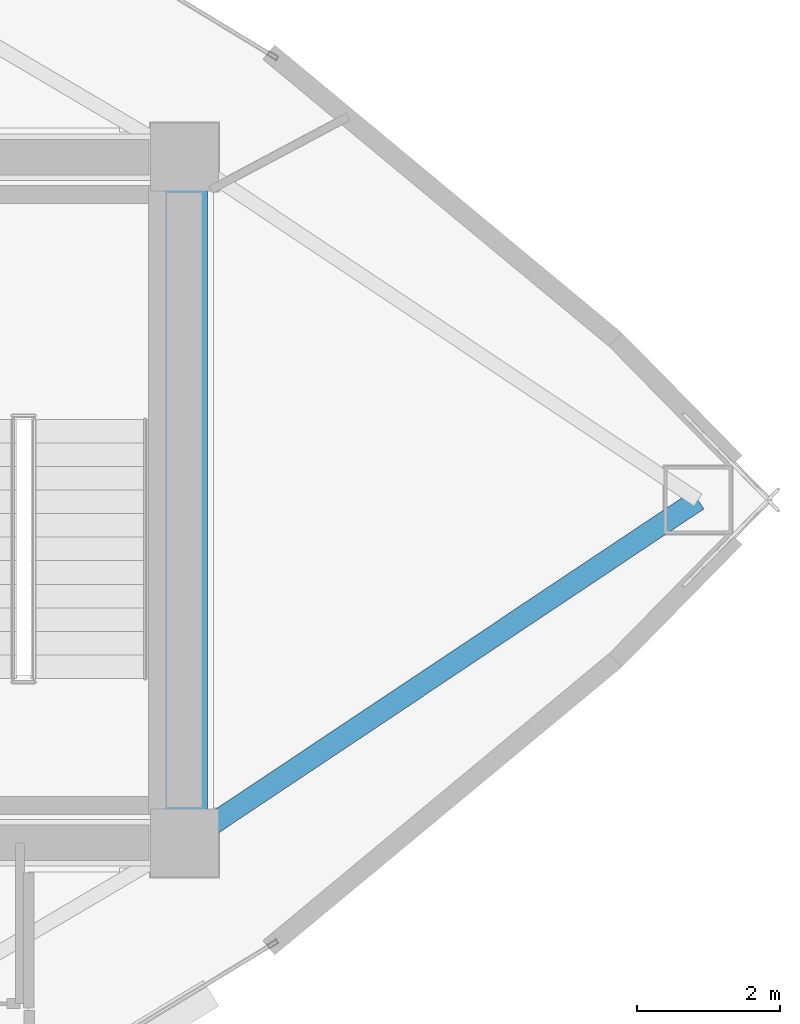
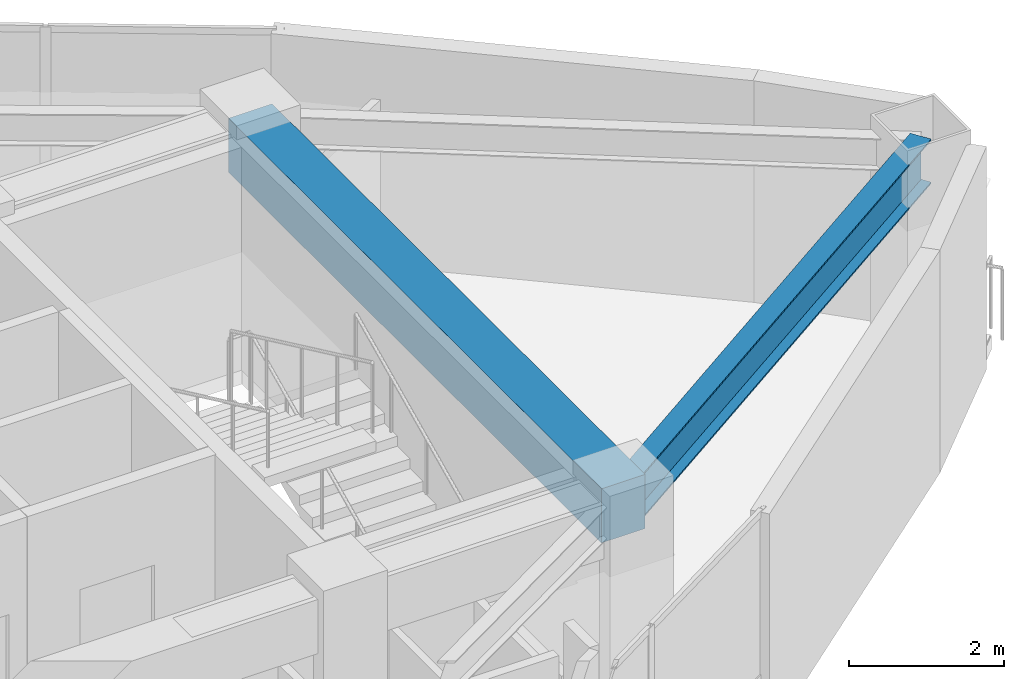
# One storey, part 6 of 15: 2 beams.
"""IFC4 building model written with IfcOpenShell, lengths in metres."""

from ifc_helpers import new_model, si_unit, direction, frame, origin, origin_2d, place, context, subcontext, project, spatial, rectangle, i_section, extrude, material, material_profile, profile_set, type_object, element, save


model = new_model("IFC4")

# Units and contexts
model_context = context("Model", 3, precision=1e-05, world=origin(), true_north=direction((0.0, 1.0)))
body_context = subcontext(model_context, "Body", "Model", "MODEL_VIEW")
ifc_project = project(units=[si_unit("LENGTHUNIT", "METRE"), si_unit("AREAUNIT", "SQUARE_METRE"), si_unit("VOLUMEUNIT", "CUBIC_METRE"), si_unit("PLANEANGLEUNIT", "RADIAN"), si_unit("MASSUNIT", "GRAM", prefix="KILO")], contexts=[model_context])

# Site, building, storey
site_placement = place(None, origin())
site = spatial("IfcSite", under=ifc_project, at=site_placement, CompositionType="ELEMENT")
building_placement = place(site_placement, origin())
building = spatial("IfcBuilding", under=site, at=building_placement, Name="Menara Vayukalpa", CompositionType="ELEMENT")
storey_placement = place(building_placement, frame((0.0, 0.0, 223.260009765625)))
storey = spatial("IfcBuildingStorey", under=building, at=storey_placement, Name="L56", CompositionType="ELEMENT", Elevation=223.260009765625)

# Beams
ifc_material_1 = material(Name="Concrete C60/75", Category="concrete")
ifc_material_profile_1 = material_profile(ifc_material_1, rectangle(XDim=0.64990234375, YDim=0.85009765625, at=origin_2d()), Name="RC 650x850")
ifc_profile_set_1 = profile_set([ifc_material_profile_1], Name="Concrete C60/75")
beam_type_1 = type_object("IfcBeamType", Name="BM-CB1", PredefinedType="BEAM", material=ifc_profile_set_1)
beam_1_placement = place(storey_placement, frame((33.39990234375, 17.199951171875, 3.074951171875), z_axis=(0.0, 1.0, 0.0), x_axis=(-1.0, 0.0, 0.0)))
element("IfcBeam", 1, at=beam_1_placement, inside=storey, type_object=beam_type_1, Name="L56 Core Tie Beam CBR8", PredefinedType="BEAM", context=body_context, shape_type="SweptSolid", body=[
    extrude(rectangle(XDim=0.64990234375, YDim=0.85009765625, at=origin_2d()), origin(), (0.0, 0.0, 1.0), 9.60009765625),
])
ifc_material_2 = material(Name="Steel S355", Category="steel")
ifc_material_profile_2 = material_profile(ifc_material_2, i_section(OverallWidth=0.300048828125, OverallDepth=0.699951171875, WebThickness=0.012939453125, FlangeThickness=0.02392578125, at=origin_2d()), Name="WF 700x300x13x24")
ifc_profile_set_2 = profile_set([ifc_material_profile_2], Name="Steel S355")
beam_type_2 = type_object("IfcBeamType", Name="BM-PG5", PredefinedType="BEAM", material=ifc_profile_set_2)
beam_2_placement = place(storey_placement, frame((33.60791015625, 17.3388671875, 3.14990234375), z_axis=(0.831719080732, 0.555196695547, 0.0), x_axis=(-0.555196695547, 0.831719080732, 0.0)))
element("IfcBeam", 2, at=beam_2_placement, inside=storey, type_object=beam_type_2, Name="L56 Primary Radial Girder RG01", PredefinedType="BEAM", context=body_context, shape_type="SweptSolid", body=[
    extrude(i_section(OverallWidth=0.300048828125, OverallDepth=0.699951171875, WebThickness=0.012939453125, FlangeThickness=0.02392578125, at=origin_2d()), origin(), (0.0, 0.0, 1.0), 8.3955078125),
])

save(model, "model.ifc")
